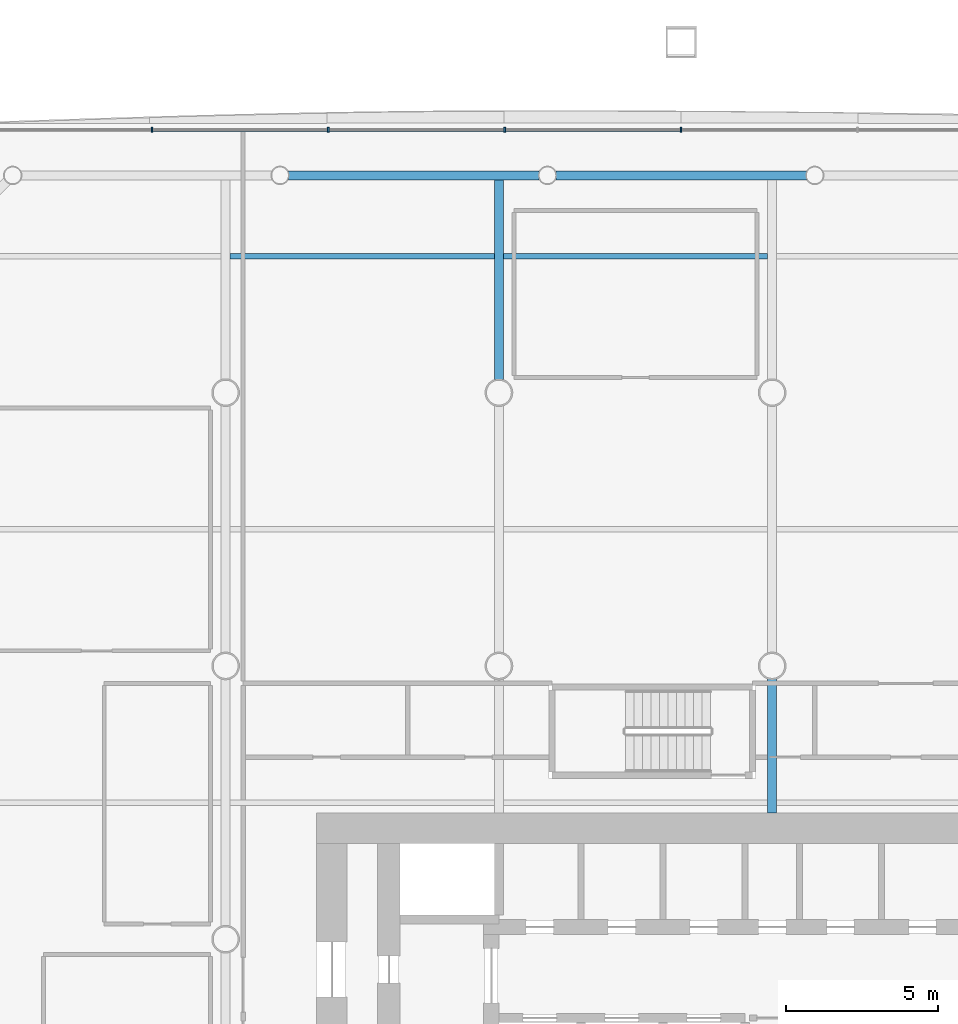
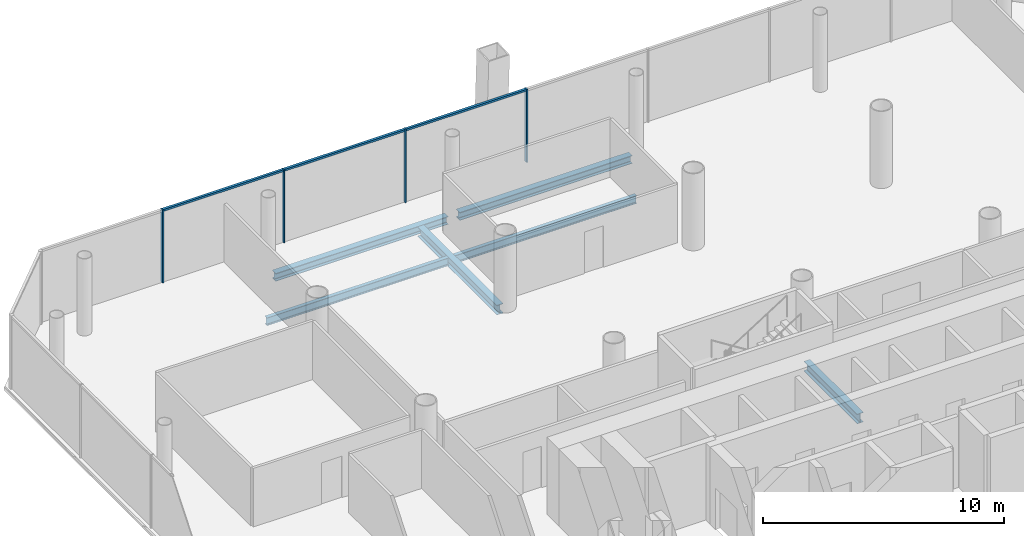
# One storey, part 9 of 21: 7 members, 6 beams, 1 element without a shape of its own.
"""IFC4 building model written with IfcOpenShell, lengths in metres."""

from ifc_helpers import new_model, si_unit, direction, frame, origin, origin_2d, place, context, subcontext, project, spatial, rectangle, i_section, extrude, material, material_profile, profile_set, type_object, element, aggregate, save


model = new_model("IFC4")

# Units and contexts
model_context = context("Model", 3, precision=1e-05, world=origin(), true_north=direction((0.0, 1.0)))
body_context = subcontext(model_context, "Body", "Model", "MODEL_VIEW")
ifc_project = project(units=[si_unit("LENGTHUNIT", "METRE"), si_unit("AREAUNIT", "SQUARE_METRE"), si_unit("VOLUMEUNIT", "CUBIC_METRE"), si_unit("PLANEANGLEUNIT", "RADIAN"), si_unit("MASSUNIT", "GRAM", prefix="KILO")], contexts=[model_context])

# Site, building, storey
site_placement = place(None, origin())
site = spatial("IfcSite", under=ifc_project, at=site_placement, CompositionType="ELEMENT")
building_placement = place(site_placement, origin())
building = spatial("IfcBuilding", under=site, at=building_placement, Name="Tskaro Facet Tower", CompositionType="ELEMENT")
storey_placement = place(building_placement, frame((0.0, 0.0, 38.10009765625)))
storey = spatial("IfcBuildingStorey", under=building, at=storey_placement, Name="L08", CompositionType="ELEMENT", Elevation=38.10009765625)

# Curtain wall, members
ifc_material_1 = material(Name="Bronze anodised aluminium 6063-T6", Category="aluminium")
curtain_wall_type = type_object("IfcCurtainWallType", Name="Bronze office curtain wall (FW1)", PredefinedType="NOTDEFINED", material=ifc_material_1)
curtain_wall_placement = place(storey_placement, origin())
curtain_wall = element("IfcCurtainWall", 1, at=curtain_wall_placement, inside=storey, type_object=curtain_wall_type, Name="FW1 north facet L08", PredefinedType="NOTDEFINED")
ifc_material_profile_1 = material_profile(ifc_material_1, rectangle(XDim=0.06005859375, YDim=0.159912109375, at=origin_2d()), Name="Mullion 60x160")
ifc_profile_set_1 = profile_set([ifc_material_profile_1], Name="Bronze anodised aluminium 6063-T6")
member_type_1 = type_object("IfcMemberType", Name="FW1 bronze mullion 60x160", PredefinedType="MULLION", material=ifc_profile_set_1)
member_1_placement = place(storey_placement, frame((-3.0, 26.654052734375, 0.0), z_axis=(0.0, 0.0, 1.0), x_axis=(-1.0, 0.0, 0.0)))
member_1 = element("IfcMember", 2, at=member_1_placement, type_object=member_type_1, Name="FW1 north mullion 4", PredefinedType="MULLION", context=body_context, shape_type="SweptSolid", body=[
    extrude(rectangle(XDim=0.06005859375, YDim=0.159912109375, at=origin_2d()), origin(), (0.0, 0.0, 1.0), 3.699951171875),
])
member_2_placement = place(storey_placement, frame((-8.808837890625, 26.654052734375, 0.0), z_axis=(0.0, 0.0, 1.0), x_axis=(-1.0, 0.0, 0.0)))
member_2 = element("IfcMember", 3, at=member_2_placement, type_object=member_type_1, Name="FW1 north mullion 5", PredefinedType="MULLION", context=body_context, shape_type="SweptSolid", body=[
    extrude(rectangle(XDim=0.06005859375, YDim=0.159912109375, at=origin_2d()), origin(), (0.0, 0.0, 1.0), 3.699951171875),
])
member_3_placement = place(storey_placement, frame((-14.617431640625, 26.654052734375, 0.0), z_axis=(0.0, 0.0, 1.0), x_axis=(-1.0, 0.0, 0.0)))
member_3 = element("IfcMember", 4, at=member_3_placement, type_object=member_type_1, Name="FW1 north mullion 6", PredefinedType="MULLION", context=body_context, shape_type="SweptSolid", body=[
    extrude(rectangle(XDim=0.06005859375, YDim=0.159912109375, at=origin_2d()), origin(), (0.0, 0.0, 1.0), 3.699951171875),
])
member_4_placement = place(storey_placement, frame((-20.42626953125, 26.654052734375, 0.0), z_axis=(0.0, 0.0, 1.0), x_axis=(-1.0, 0.0, 0.0)))
member_4 = element("IfcMember", 5, at=member_4_placement, type_object=member_type_1, Name="FW1 north mullion 7", PredefinedType="MULLION", context=body_context, shape_type="SweptSolid", body=[
    extrude(rectangle(XDim=0.06005859375, YDim=0.159912109375, at=origin_2d()), origin(), (0.0, 0.0, 1.0), 3.699951171875),
])
ifc_material_profile_2 = material_profile(ifc_material_1, rectangle(XDim=0.1201171875, YDim=0.10009765625, at=origin_2d()), Name="Transom 120x100")
ifc_profile_set_2 = profile_set([ifc_material_profile_2], Name="Bronze anodised aluminium 6063-T6")
member_type_2 = type_object("IfcMemberType", Name="FW1 bronze transom 120x100", PredefinedType="USERDEFINED", material=ifc_profile_set_2)
member_5_placement = place(storey_placement, frame((-3.030029296875, 26.654052734375, 3.64990234375), z_axis=(-1.0, 0.0, 0.0), x_axis=(0.0, -1.0, 0.0)))
member_5 = element("IfcMember", 6, at=member_5_placement, type_object=member_type_2, Name="FW1 north transom 5.1", ObjectType="TRANSOM", PredefinedType="USERDEFINED", context=body_context, shape_type="SweptSolid", body=[
    extrude(rectangle(XDim=0.1201171875, YDim=0.10009765625, at=origin_2d()), origin(), (0.0, 0.0, 1.0), 5.748779296875),
])
member_6_placement = place(storey_placement, frame((-8.8388671875, 26.654052734375, 3.64990234375), z_axis=(-1.0, 0.0, 0.0), x_axis=(0.0, -1.0, 0.0)))
member_6 = element("IfcMember", 7, at=member_6_placement, type_object=member_type_2, Name="FW1 north transom 6.1", ObjectType="TRANSOM", PredefinedType="USERDEFINED", context=body_context, shape_type="SweptSolid", body=[
    extrude(rectangle(XDim=0.1201171875, YDim=0.10009765625, at=origin_2d()), origin(), (0.0, 0.0, 1.0), 5.74853515625),
])
member_7_placement = place(storey_placement, frame((-14.6474609375, 26.654052734375, 3.64990234375), z_axis=(-1.0, 0.0, 0.0), x_axis=(0.0, -1.0, 0.0)))
member_7 = element("IfcMember", 8, at=member_7_placement, type_object=member_type_2, Name="FW1 north transom 7.1", ObjectType="TRANSOM", PredefinedType="USERDEFINED", context=body_context, shape_type="SweptSolid", body=[
    extrude(rectangle(XDim=0.1201171875, YDim=0.10009765625, at=origin_2d()), origin(), (0.0, 0.0, 1.0), 5.748779296875),
])
aggregate(curtain_wall, [member_1, member_2, member_3, member_4, member_5, member_6, member_7])

# Beams
ifc_material_2 = material(Name="Steel S355J2", Category="steel")
ifc_material_profile_3 = material_profile(ifc_material_2, i_section(OverallWidth=0.300048828125, OverallDepth=0.39990234375, WebThickness=0.013427734375, FlangeThickness=0.02392578125, FilletRadius=0.027099609375, at=origin_2d()), Name="HE 400 B")
ifc_profile_set_3 = profile_set([ifc_material_profile_3], Name="Steel S355J2")
beam_type_1 = type_object("IfcBeamType", Name="HE 400 B ring beam", PredefinedType="BEAM", material=ifc_profile_set_3)
beam_1_placement = place(storey_placement, frame((1.126953125, 25.156982421875, -0.340087890625), z_axis=(-1.0, 0.0, 0.0), x_axis=(0.0, -1.0, 0.0)))
element("IfcBeam", 9, at=beam_1_placement, inside=storey, type_object=beam_type_1, Name="HE 400 B EB16-1", PredefinedType="BEAM", context=body_context, shape_type="SweptSolid", body=[
    extrude(i_section(OverallWidth=0.300048828125, OverallDepth=0.39990234375, WebThickness=0.013427734375, FlangeThickness=0.02392578125, FilletRadius=0.027099609375, at=origin_2d()), origin(), (0.0, 0.0, 1.0), 8.25390625),
])
beam_2_placement = place(storey_placement, frame((-7.677001953125, 25.156982421875, -0.340087890625), z_axis=(-1.0, 0.0, 0.0), x_axis=(0.0, -1.0, 0.0)))
element("IfcBeam", 10, at=beam_2_placement, inside=storey, type_object=beam_type_1, Name="HE 400 B EB17-1", PredefinedType="BEAM", context=body_context, shape_type="SweptSolid", body=[
    extrude(i_section(OverallWidth=0.300048828125, OverallDepth=0.39990234375, WebThickness=0.013427734375, FlangeThickness=0.02392578125, FilletRadius=0.027099609375, at=origin_2d()), origin(), (0.0, 0.0, 1.0), 8.2548828125),
])
ifc_material_profile_4 = material_profile(ifc_material_2, i_section(OverallWidth=0.300048828125, OverallDepth=0.489990234375, WebThickness=0.011962890625, FlangeThickness=0.02294921875, FilletRadius=0.027099609375, at=origin_2d()), Name="HE 500 A")
ifc_profile_set_4 = profile_set([ifc_material_profile_4], Name="Steel S355J2")
beam_type_2 = type_object("IfcBeamType", Name="HE 500 A girder", PredefinedType="BEAM", material=ifc_profile_set_4)
beam_3_placement = place(storey_placement, frame((-9.0, 18.42724609375, -0.385009765625), z_axis=(0.0, 1.0, 0.0), x_axis=(-1.0, 0.0, 0.0)))
element("IfcBeam", 11, at=beam_3_placement, inside=storey, type_object=beam_type_2, Name="HE 500 A GB3-5-1", PredefinedType="BEAM", context=body_context, shape_type="SweptSolid", body=[
    extrude(i_section(OverallWidth=0.300048828125, OverallDepth=0.489990234375, WebThickness=0.011962890625, FlangeThickness=0.02294921875, FilletRadius=0.027099609375, at=origin_2d()), origin(), (0.0, 0.0, 1.0), 6.579833984375),
])
beam_4_placement = place(storey_placement, frame((0.0, 4.14990234375, -0.385009765625), z_axis=(0.0, 1.0, 0.0), x_axis=(-1.0, 0.0, 0.0)))
element("IfcBeam", 12, at=beam_4_placement, inside=storey, type_object=beam_type_2, Name="HE 500 A GB4-3-1", PredefinedType="BEAM", context=body_context, shape_type="SweptSolid", body=[
    extrude(i_section(OverallWidth=0.300048828125, OverallDepth=0.489990234375, WebThickness=0.011962890625, FlangeThickness=0.02294921875, FilletRadius=0.027099609375, at=origin_2d()), origin(), (0.0, 0.0, 1.0), 4.4228515625),
])
ifc_material_profile_5 = material_profile(ifc_material_2, i_section(OverallWidth=0.179931640625, OverallDepth=0.39990234375, WebThickness=0.008544921875, FlangeThickness=0.013427734375, FilletRadius=0.02099609375, at=origin_2d()), Name="IPE 400")
ifc_profile_set_5 = profile_set([ifc_material_profile_5], Name="Steel S355J2")
beam_type_3 = type_object("IfcBeamType", Name="IPE 400 secondary beam", PredefinedType="BEAM", material=ifc_profile_set_5)
for number, where, z_axis, x_axis, name in (
    (13, (-17.85009765625, 22.5, -0.340087890625), (1.0, 0.0, 0.0), (0.0, 1.0, 0.0), "IPE 400 SB6a-2-1"),
    (14, (-8.85009765625, 22.5, -0.340087890625), (1.0, 0.0, 0.0), (0.0, 1.0, 0.0), "IPE 400 SB6a-3-1"),
):
    element("IfcBeam", number, at=place(storey_placement, frame(where, z_axis=z_axis, x_axis=x_axis)), inside=storey, type_object=beam_type_3, Name=name, PredefinedType="BEAM", context=body_context, shape_type="SweptSolid", body=[
        extrude(i_section(OverallWidth=0.179931640625, OverallDepth=0.39990234375, WebThickness=0.008544921875, FlangeThickness=0.013427734375, FilletRadius=0.02099609375, at=origin_2d()), origin(), (0.0, 0.0, 1.0), 8.7001953125),
    ])

save(model, "model.ifc")
